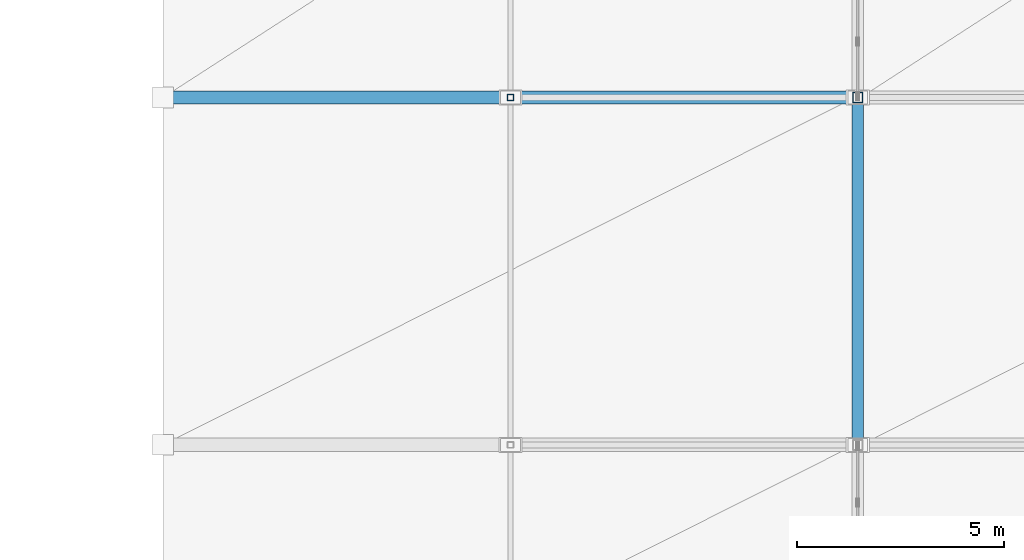
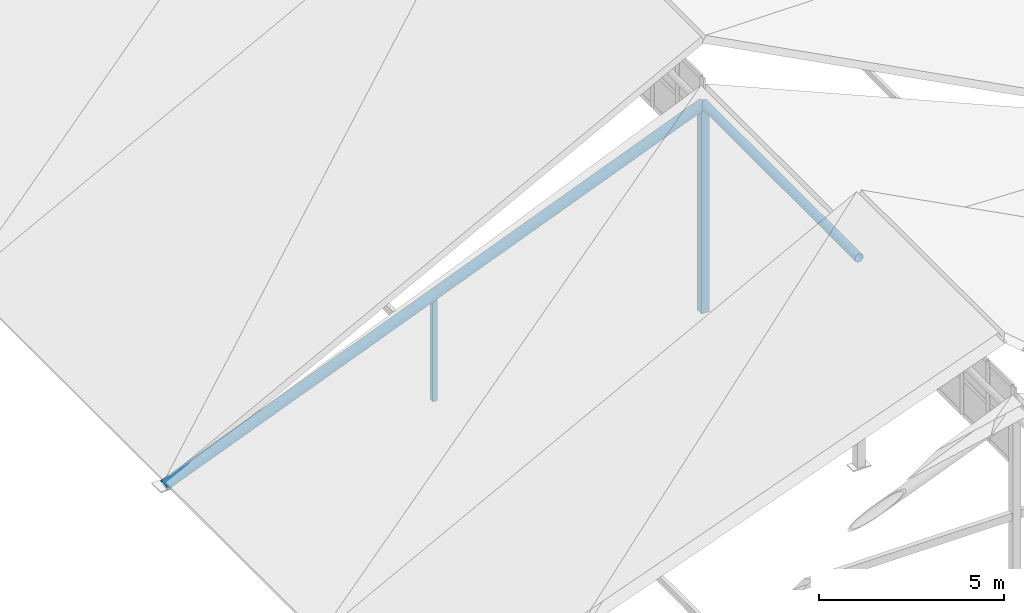
# One storey, part 28 of 76: 4 members.
"""IFC4 building model written with IfcOpenShell, lengths in metres."""

import ifcopenshell
import ifcopenshell.guid

model = None  # the IFC model being written
_history = None  # IfcOwnerHistory: only IFC2X3 demands one
_inside = {}  # id of a spatial element -> (the spatial element, [elements in it])
_under = {}  # id of a project, library or spatial element -> (it, [spatial elements below it])
_declared = {}  # id of a project -> (the project, [libraries it declares])
_typed = {}  # id of a type object -> (the type object, [elements of that type])
_made_of = {}  # id of a material, layer set ... -> (it, [elements and type objects made of it])


def new_model(schema):
    """Start an empty IFC model of exactly this schema.

    Asked for "IFC4X3", IfcOpenShell would pick the latest addendum, in which some entities
    have other attributes; the version numbers below select the first issue.
    IFC2X3 requires an IfcOwnerHistory on every rooted entity: one is made here for all.
    """
    global model, _history
    if schema == "IFC4X3":
        model = ifcopenshell.file(schema_version=(4, 3, 0, 0))
    else:
        model = ifcopenshell.file(schema=schema)
    _inside.clear()
    _under.clear()
    _declared.clear()
    _typed.clear()
    _made_of.clear()
    _history = None
    if model.schema == "IFC2X3":
        org = make("IfcOrganization", Name="unknown")
        user = make(
            "IfcPersonAndOrganization",
            ThePerson=make("IfcPerson", FamilyName="unknown"),
            TheOrganization=org,
        )
        app = make(
            "IfcApplication",
            ApplicationDeveloper=org,
            Version="unknown",
            ApplicationFullName="unknown",
            ApplicationIdentifier="unknown",
        )
        _history = make(
            "IfcOwnerHistory",
            OwningUser=user,
            OwningApplication=app,
            ChangeAction="ADDED",
            CreationDate=0,
        )
    return model


def make(cls, **values):
    """One entity of the class cls with the attributes given. An attribute that is None is left unset."""
    return model.create_entity(
        cls, **{name: value for name, value in values.items() if value is not None}
    )


def rooted(cls, **values):
    """An entity with a GlobalId (a new one), such as an element, a storey or a relation."""
    return make(cls, GlobalId=ifcopenshell.guid.new(), OwnerHistory=_history, **values)


def si_unit(unit_type, name, prefix=None):
    """IfcSIUnit, for example si_unit("LENGTHUNIT", "METRE", prefix="MILLI")."""
    return make("IfcSIUnit", UnitType=unit_type, Prefix=prefix, Name=name)


def assignment(units):
    """IfcUnitAssignment: the units of a project."""
    return None if units is None else make("IfcUnitAssignment", Units=units)


def point(xyz):
    """IfcCartesianPoint."""
    return None if xyz is None else make("IfcCartesianPoint", Coordinates=xyz)


def direction(xyz):
    """IfcDirection."""
    return None if xyz is None else make("IfcDirection", DirectionRatios=xyz)


def frame(location, z_axis=None, x_axis=None):
    """IfcAxis2Placement3D, a coordinate frame: its origin and axes. An axis left out is left unset."""
    return make(
        "IfcAxis2Placement3D",
        Location=point(location),
        Axis=direction(z_axis),
        RefDirection=direction(x_axis),
    )


def frame_2d(location, x_axis=None):
    """IfcAxis2Placement2D, a coordinate frame in the plane: its origin and x axis."""
    return make(
        "IfcAxis2Placement2D", Location=point(location), RefDirection=direction(x_axis)
    )


def origin():
    """The frame at (0, 0, 0) with its axes left unset."""
    return frame((0.0, 0.0, 0.0))


def origin_2d():
    """The frame at (0, 0) in the plane with its x axis left unset."""
    return frame_2d((0.0, 0.0))


def place(relative_to, where):
    """IfcLocalPlacement: puts the frame where relative to a parent placement (None: the world)."""
    return make(
        "IfcLocalPlacement", PlacementRelTo=relative_to, RelativePlacement=where
    )


def context(
    kind, dimensions, precision=None, world=None, true_north=None, identifier=None
):
    """IfcGeometricRepresentationContext, for example the 3D "Model" context."""
    return make(
        "IfcGeometricRepresentationContext",
        ContextIdentifier=identifier,
        ContextType=kind,
        CoordinateSpaceDimension=dimensions,
        Precision=precision,
        WorldCoordinateSystem=world,
        TrueNorth=true_north,
    )


def subcontext(parent, identifier, kind, view, scale=None):
    """IfcGeometricRepresentationSubContext, for example "Body" below "Model"."""
    return make(
        "IfcGeometricRepresentationSubContext",
        ContextIdentifier=identifier,
        ContextType=kind,
        ParentContext=parent,
        TargetScale=scale,
        TargetView=view,
    )


def project(units=None, contexts=None):
    """IfcProject with its units and contexts."""
    return rooted(
        "IfcProject",
        Name="project",
        RepresentationContexts=contexts,
        UnitsInContext=assignment(units),
    )


def spatial(cls, under=None, at=None, **own):
    """A site, building, storey or space (cls), placed at a placement, below another one or the project."""
    s = rooted(cls, ObjectPlacement=at, **own)
    if under is not None:
        _under.setdefault(under.id(), (under, []))[1].append(s)
    return s


def profile(cls, at=None, kind="AREA", **sizes):
    """A parametric profile (cls). Its sizes go by their IFC names, for example OverallWidth=200.0."""
    return make(cls, ProfileType=kind, Position=at, **sizes)


def hollow_rectangle(**sizes):
    """IfcRectangleHollowProfileDef."""
    return profile("IfcRectangleHollowProfileDef", **sizes)


def hollow_circle(**sizes):
    """IfcCircleHollowProfileDef."""
    return profile("IfcCircleHollowProfileDef", **sizes)


def extrude(swept, where, along, depth):
    """IfcExtrudedAreaSolid: the profile swept, set in the frame where, extruded along a direction by depth."""
    return make(
        "IfcExtrudedAreaSolid",
        SweptArea=swept,
        Position=where,
        ExtrudedDirection=direction(along),
        Depth=depth,
    )


def shape(context_of_items, identifier, shape_type, items):
    """IfcShapeRepresentation: the items that make up one representation, for example the "Body"."""
    return make(
        "IfcShapeRepresentation",
        ContextOfItems=context_of_items,
        RepresentationIdentifier=identifier,
        RepresentationType=shape_type,
        Items=items,
    )


def material(Name=None, Category=None):
    """IfcMaterial."""
    return make("IfcMaterial", Name=Name, Category=Category)


def material_profile(
    of_material, cross_section, Name=None, Category=None, Priority=None
):
    """IfcMaterialProfile: a cross section and its material."""
    return make(
        "IfcMaterialProfile",
        Name=Name,
        Material=of_material,
        Profile=cross_section,
        Priority=Priority,
        Category=Category,
    )


def profile_set(profiles, Name=None, composite=None):
    """IfcMaterialProfileSet."""
    return make(
        "IfcMaterialProfileSet",
        Name=Name,
        MaterialProfiles=profiles,
        CompositeProfile=composite,
    )


def made_of(thing, what):
    """Note that an element or type object is made of a material, layer set ...; save() writes the relation."""
    if what is not None:
        _made_of.setdefault(what.id(), (what, []))[1].append(thing)
    return thing


def type_object(cls, material=None, **own):
    """A type object (cls), such as IfcWallType, which elements share."""
    return made_of(rooted(cls, **own), material)


def element(
    cls,
    number,
    at=None,
    inside=None,
    cuts=None,
    type_object=None,
    material=None,
    context=None,
    identifier="Body",
    shape_type=None,
    held_by="IfcProductDefinitionShape",
    body=None,
    shapes=None,
    **own,
):
    """One element of the class cls, such as IfcWall. Its Tag is "e" and its number.

    at: its placement. inside: the storey or other place that contains it. cuts: it is an
    opening in that element (IfcRelVoidsElement). A single representation is given by context,
    identifier, shape_type and body (its items); several are given by shapes. held_by: the class
    of the entity that holds the representations. save() writes the other relations.
    """
    e = rooted(cls, Tag="e%d" % number, ObjectPlacement=at, **own)
    if body is not None:
        shapes = [shape(context, identifier, shape_type, body)]
    if shapes is not None:
        e.Representation = make(held_by, Representations=shapes)
    if inside is not None:
        _inside.setdefault(inside.id(), (inside, []))[1].append(e)
    if cuts is not None:
        rooted(
            "IfcRelVoidsElement", RelatingBuildingElement=cuts, RelatedOpeningElement=e
        )
    if type_object is not None:
        _typed.setdefault(type_object.id(), (type_object, []))[1].append(e)
    return made_of(e, material)


def aggregate(whole, parts):
    """IfcRelAggregates: a whole, such as a stair, and the parts it consists of."""
    return rooted("IfcRelAggregates", RelatingObject=whole, RelatedObjects=parts)


def save(model, path):
    """Write the relations noted so far, then the file.

    IfcRelAggregates (storeys below a building ...), IfcRelContainedInSpatialStructure (elements
    in a storey), IfcRelDefinesByType, IfcRelAssociatesMaterial and IfcRelDeclares: one each for
    every whole, place, type object, material and project.
    """
    for whole, parts in _under.values():
        aggregate(whole, parts)
    for where, things in _inside.values():
        rooted(
            "IfcRelContainedInSpatialStructure",
            RelatedElements=things,
            RelatingStructure=where,
        )
    for kind, things in _typed.values():
        rooted("IfcRelDefinesByType", RelatedObjects=things, RelatingType=kind)
    for what, things in _made_of.values():
        rooted("IfcRelAssociatesMaterial", RelatedObjects=things, RelatingMaterial=what)
    for by, libraries in _declared.values():
        rooted("IfcRelDeclares", RelatingContext=by, RelatedDefinitions=libraries)
    model.write(path)


model = new_model("IFC4")

# Units and contexts
model_context = context("Model", 3, precision=1e-05, world=origin(), true_north=direction((0.0, 1.0)))
body_context = subcontext(model_context, "Body", "Model", "MODEL_VIEW")
ifc_project = project(units=[si_unit("LENGTHUNIT", "METRE"), si_unit("AREAUNIT", "SQUARE_METRE"), si_unit("VOLUMEUNIT", "CUBIC_METRE"), si_unit("PLANEANGLEUNIT", "RADIAN"), si_unit("MASSUNIT", "GRAM", prefix="KILO")], contexts=[model_context])

# Site, building, storey
site_placement = place(None, origin())
site = spatial("IfcSite", under=ifc_project, at=site_placement, CompositionType="ELEMENT")
building_placement = place(site_placement, origin())
building = spatial("IfcBuilding", under=site, at=building_placement, Name="Krzemoval Escarpment Law Courts", CompositionType="ELEMENT")
storey_placement = place(building_placement, frame((0.0, 0.0, 20.39990234375)))
storey = spatial("IfcBuildingStorey", under=building, at=storey_placement, Name="L04", CompositionType="ELEMENT", Elevation=20.39990234375)

# Members
ifc_material_1 = material(Name="Steel S355", Category="steel")
ifc_material_profile_1 = material_profile(ifc_material_1, hollow_circle(Radius=0.136474609375, WallThickness=0.012451171875, at=origin_2d()), Name="CHS 273x12.5")
ifc_profile_set_1 = profile_set([ifc_material_profile_1], Name="Steel S355")
member_type_1 = type_object("IfcMemberType", Name="MBR-CHD-CHS273", PredefinedType="CHORD", material=ifc_profile_set_1)
member_1_placement = place(storey_placement, frame((25.199951171875, 66.0, 6.550048828125), z_axis=(0.0, 1.0, 0.0), x_axis=(-1.0, 0.0, 0.0)))
element("IfcMember", 1, at=member_1_placement, inside=storey, type_object=member_type_1, Name="Roof Truss Top Chord TC-0067", PredefinedType="CHORD", context=body_context, shape_type="SweptSolid", body=[
    extrude(hollow_circle(Radius=0.136474609375, WallThickness=0.012451171875, at=origin_2d()), origin(), (0.0, 0.0, 1.0), 8.39990234375),
])
ifc_material_2 = material(Name="Steel S355", Category="steel")
ifc_material_profile_2 = material_profile(ifc_material_2, hollow_circle(Radius=0.161865234375, WallThickness=0.01611328125, at=origin_2d()), Name="CHS 323.9x16")
ifc_profile_set_2 = profile_set([ifc_material_profile_2], Name="Steel S355")
member_type_2 = type_object("IfcMemberType", Name="MBR-CHD-CHS324", PredefinedType="CHORD", material=ifc_profile_set_2)
member_2_placement = place(storey_placement, frame((8.39990234375, 74.39990234375, -0.14990234375), z_axis=(0.928858805287, 0.0, 0.370433961511), x_axis=(0.0, 1.0, 0.0)))
element("IfcMember", 2, at=member_2_placement, inside=storey, type_object=member_type_2, Name="Roof Rafter Chord TC-0034", PredefinedType="CHORD", context=body_context, shape_type="SweptSolid", body=[
    extrude(hollow_circle(Radius=0.161865234375, WallThickness=0.01611328125, at=origin_2d()), origin(), (0.0, 0.0, 1.0), 18.086669921875),
])
ifc_material_3 = material(Name="Steel S355", Category="steel")
ifc_material_profile_3 = material_profile(ifc_material_3, hollow_rectangle(XDim=0.14990234375, YDim=0.14990234375, WallThickness=0.008056640625, at=origin_2d()), Name="SHS 150x150x8")
ifc_profile_set_3 = profile_set([ifc_material_profile_3], Name="Steel S355")
member_type_3 = type_object("IfcMemberType", Name="MBR-STR-SHS150", PredefinedType="STRUT", material=ifc_profile_set_3)
member_3_placement = place(storey_placement, frame((16.800048828125, 74.39990234375, -0.27978515625), z_axis=(0.0, 0.0, 1.0), x_axis=(1.0, 0.0, 0.0)))
element("IfcMember", 3, at=member_3_placement, inside=storey, type_object=member_type_3, Name="Roof Truss Web Strut ST-0032", PredefinedType="STRUT", context=body_context, shape_type="SweptSolid", body=[
    extrude(hollow_rectangle(XDim=0.14990234375, YDim=0.14990234375, WallThickness=0.008056640625, at=origin_2d()), origin(), (0.0, 0.0, 1.0), 3.47998046875),
])
ifc_material_4 = material(Name="Steel S355", Category="steel")
ifc_material_profile_4 = material_profile(ifc_material_4, hollow_rectangle(XDim=0.25, YDim=0.25, WallThickness=0.012451171875, at=origin_2d()), Name="SHS 250x250x12.5")
ifc_profile_set_4 = profile_set([ifc_material_profile_4], Name="Steel S355")
member_type_4 = type_object("IfcMemberType", Name="MBR-STR-SHS250", PredefinedType="STRUT", material=ifc_profile_set_4)
member_4_placement = place(storey_placement, frame((25.199951171875, 74.39990234375, -0.27978515625), z_axis=(0.0, 0.0, 1.0), x_axis=(1.0, 0.0, 0.0)))
element("IfcMember", 4, at=member_4_placement, inside=storey, type_object=member_type_4, Name="Roof Truss King Strut ST-0031", PredefinedType="STRUT", context=body_context, shape_type="SweptSolid", body=[
    extrude(hollow_rectangle(XDim=0.25, YDim=0.25, WallThickness=0.012451171875, at=origin_2d()), origin(), (0.0, 0.0, 1.0), 6.829833984375),
])

save(model, "model.ifc")
